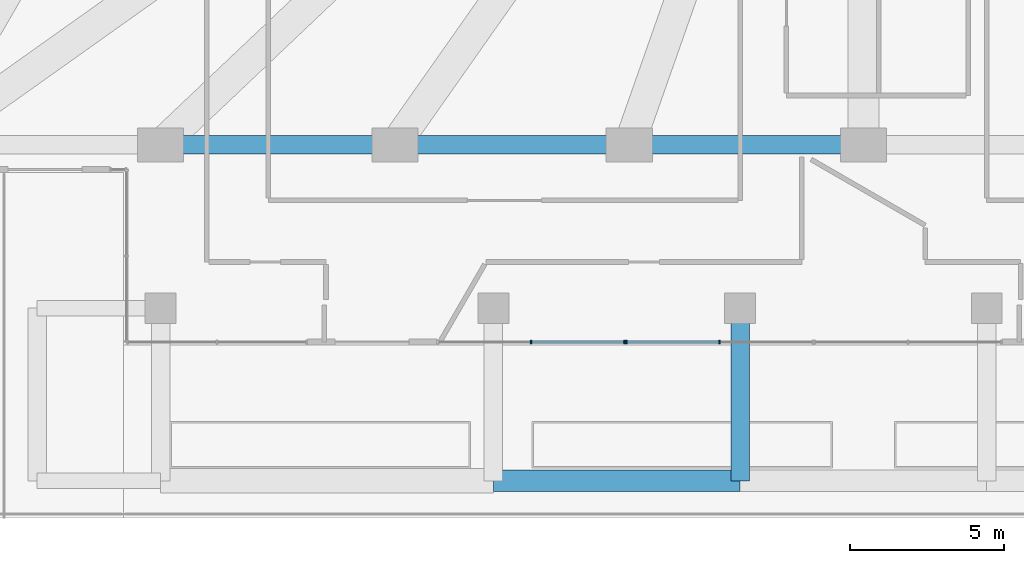
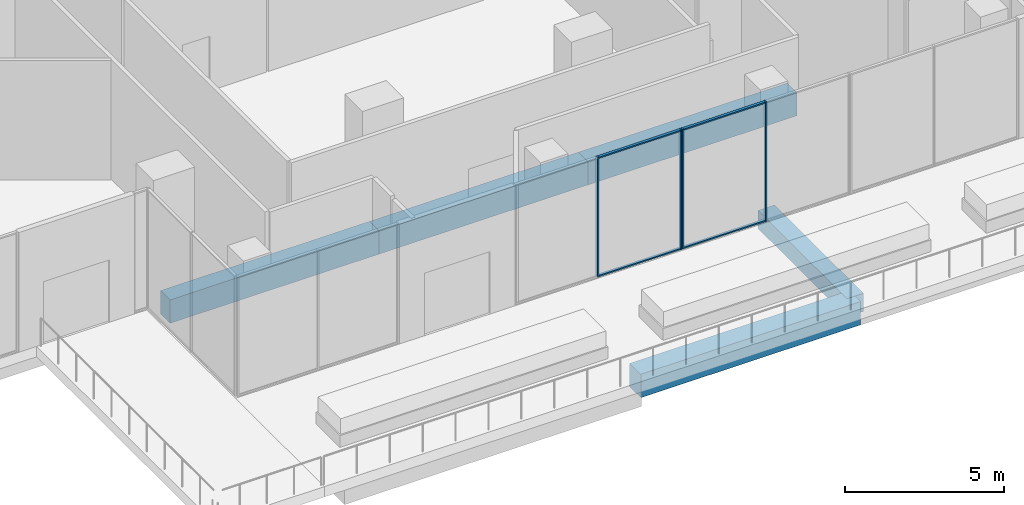
# One storey, part 3 of 32: 8 members, 5 beams, 2 elements without a shape of their own.
"""IFC4 building model written with IfcOpenShell, lengths in metres."""

from ifc_helpers import new_model, si_unit, direction, frame, origin, origin_2d, place, context, subcontext, project, spatial, rectangle, extrude, material, layer, layer_set, material_profile, profile_set, type_object, element, aggregate, save


model = new_model("IFC4")

# Units and contexts
model_context = context("Model", 3, precision=1e-05, world=origin(), true_north=direction((0.0, 1.0)))
body_context = subcontext(model_context, "Body", "Model", "MODEL_VIEW")
ifc_project = project(units=[si_unit("LENGTHUNIT", "METRE"), si_unit("AREAUNIT", "SQUARE_METRE"), si_unit("VOLUMEUNIT", "CUBIC_METRE"), si_unit("PLANEANGLEUNIT", "RADIAN"), si_unit("MASSUNIT", "GRAM", prefix="KILO")], contexts=[model_context])

# Site, building, storey
site_placement = place(None, origin())
site = spatial("IfcSite", under=ifc_project, at=site_placement, CompositionType="ELEMENT")
building_placement = place(site_placement, origin())
building = spatial("IfcBuilding", under=site, at=building_placement, Name="Triada Interchange Tower", CompositionType="ELEMENT")
storey_placement = place(building_placement, frame((0.0, 0.0, 25.300048828125)))
storey = spatial("IfcBuildingStorey", under=building, at=storey_placement, Name="L04", CompositionType="ELEMENT", Elevation=25.300048828125)

# Curtain wall, members
ifc_material_1 = material(Name="Aluminium framed glazing", Category="aluminium")
ifc_layer = layer(ifc_material_1, 0.199951171875)
ifc_layer_set = layer_set([ifc_layer], Name="Curtain wall Winter garden glazing")
curtain_wall_type = type_object("IfcCurtainWallType", Name="Curtain wall Winter garden glazing", PredefinedType="NOTDEFINED", material=ifc_layer_set)
curtain_wall_1_placement = place(storey_placement, origin())
curtain_wall_1 = element("IfcCurtainWall", 1, at=curtain_wall_1_placement, inside=storey, type_object=curtain_wall_type, Name="Winter garden glazing CW002 L04", PredefinedType="NOTDEFINED")
ifc_material_2 = material(Name="Aluminium", Category="aluminium")
ifc_material_profile_1 = material_profile(ifc_material_2, rectangle(XDim=0.1201171875, YDim=0.050048828125, at=origin_2d()), Name="Aluminium mullion")
ifc_profile_set_1 = profile_set([ifc_material_profile_1], Name="Aluminium")
member_type_1 = type_object("IfcMemberType", Name="Mullion Winter garden glazing 120x50", PredefinedType="MULLION", material=ifc_profile_set_1)
member_1_placement = place(storey_placement, frame((-10.780029296875, -28.0, 0.0), z_axis=(0.0, 0.0, 1.0), x_axis=(0.0, 1.0, 0.0)))
member_1 = element("IfcMember", 2, at=member_1_placement, type_object=member_type_1, Name="CW002 mullion 2", PredefinedType="MULLION", context=body_context, shape_type="SweptSolid", body=[
    extrude(rectangle(XDim=0.1201171875, YDim=0.050048828125, at=origin_2d()), origin(), (0.0, 0.0, 1.0), 4.599853515625),
])
member_2_placement = place(storey_placement, frame((-7.751953125, -28.0, 0.0), z_axis=(0.0, 0.0, 1.0), x_axis=(0.0, 1.0, 0.0)))
member_2 = element("IfcMember", 3, at=member_2_placement, type_object=member_type_1, Name="CW002 mullion 3", PredefinedType="MULLION", context=body_context, shape_type="SweptSolid", body=[
    extrude(rectangle(XDim=0.1201171875, YDim=0.050048828125, at=origin_2d()), origin(), (0.0, 0.0, 1.0), 4.599853515625),
])

curtain_wall_2_placement = place(storey_placement, origin())
curtain_wall_2 = element("IfcCurtainWall", 4, at=curtain_wall_2_placement, inside=storey, type_object=curtain_wall_type, Name="Winter garden glazing CW003 L04", PredefinedType="NOTDEFINED")
member_3_placement = place(storey_placement, frame((-7.69189453125, -28.0, 0.0), z_axis=(0.0, 0.0, 1.0), x_axis=(0.0, 1.0, 0.0)))
member_3 = element("IfcMember", 5, at=member_3_placement, type_object=member_type_1, Name="CW003 mullion 1", PredefinedType="MULLION", context=body_context, shape_type="SweptSolid", body=[
    extrude(rectangle(XDim=0.1201171875, YDim=0.050048828125, at=origin_2d()), origin(), (0.0, 0.0, 1.0), 4.599853515625),
])
member_4_placement = place(storey_placement, frame((-4.66650390625, -28.0, 0.0), z_axis=(0.0, 0.0, 1.0), x_axis=(0.0, 1.0, 0.0)))
member_4 = element("IfcMember", 6, at=member_4_placement, type_object=member_type_1, Name="CW003 mullion 2", PredefinedType="MULLION", context=body_context, shape_type="SweptSolid", body=[
    extrude(rectangle(XDim=0.1201171875, YDim=0.050048828125, at=origin_2d()), origin(), (0.0, 0.0, 1.0), 4.599853515625),
])

# Beams
ifc_material_3 = material(Name="Concrete C50/60", Category="concrete")
ifc_material_profile_2 = material_profile(ifc_material_3, rectangle(XDim=0.60009765625, YDim=0.89990234375, at=origin_2d()), Name="RC 600x900")
ifc_profile_set_2 = profile_set([ifc_material_profile_2], Name="Concrete C50/60")
beam_type_1 = type_object("IfcBeamType", Name="Spandrel beam P RC 600x900", PredefinedType="BEAM", material=ifc_profile_set_2)
beam_1_placement = place(storey_placement, frame((-22.798095703125, -21.60009765625, -0.85009765625), z_axis=(1.0, 0.0, 0.0), x_axis=(0.0, 1.0, 0.0)))
element("IfcBeam", 7, at=beam_1_placement, inside=storey, type_object=beam_type_1, Name="Spandrel beam EP12 L04", PredefinedType="BEAM", context=body_context, shape_type="SweptSolid", body=[
    extrude(rectangle(XDim=0.60009765625, YDim=0.89990234375, at=origin_2d()), origin(), (0.0, 0.0, 1.0), 7.60009765625),
])
beam_2_placement = place(storey_placement, frame((-15.197998046875, -21.60009765625, -0.85009765625), z_axis=(1.0, 0.0, 0.0), x_axis=(0.0, 1.0, 0.0)))
element("IfcBeam", 8, at=beam_2_placement, inside=storey, type_object=beam_type_1, Name="Spandrel beam EP13 L04", PredefinedType="BEAM", context=body_context, shape_type="SweptSolid", body=[
    extrude(rectangle(XDim=0.60009765625, YDim=0.89990234375, at=origin_2d()), origin(), (0.0, 0.0, 1.0), 7.598876953125),
])
beam_3_placement = place(storey_placement, frame((-7.59912109375, -21.60009765625, -0.85009765625), z_axis=(1.0, 0.0, 0.0), x_axis=(0.0, 1.0, 0.0)))
element("IfcBeam", 9, at=beam_3_placement, inside=storey, type_object=beam_type_1, Name="Spandrel beam EP14 L04", PredefinedType="BEAM", context=body_context, shape_type="SweptSolid", body=[
    extrude(rectangle(XDim=0.60009765625, YDim=0.89990234375, at=origin_2d()), origin(), (0.0, 0.0, 1.0), 7.59912109375),
])
ifc_material_4 = material(Name="Concrete C40/50", Category="concrete")
ifc_material_profile_3 = material_profile(ifc_material_4, rectangle(XDim=0.60009765625, YDim=0.699951171875, at=origin_2d()), Name="RC 600x700")
ifc_profile_set_3 = profile_set([ifc_material_profile_3], Name="Concrete C40/50")
beam_type_2 = type_object("IfcBeamType", Name="Terrace beam RC 600x700", PredefinedType="BEAM", material=ifc_profile_set_3)
beam_4_placement = place(storey_placement, frame((-4.0, -32.5, -0.75), z_axis=(0.0, 1.0, 0.0), x_axis=(-1.0, 0.0, 0.0)))
element("IfcBeam", 10, at=beam_4_placement, inside=storey, type_object=beam_type_2, Name="Terrace beam TE09 L04", PredefinedType="BEAM", context=body_context, shape_type="SweptSolid", body=[
    extrude(rectangle(XDim=0.60009765625, YDim=0.699951171875, at=origin_2d()), origin(), (0.0, 0.0, 1.0), 5.60009765625),
])
ifc_material_profile_4 = material_profile(ifc_material_4, rectangle(XDim=0.699951171875, YDim=0.89990234375, at=origin_2d()), Name="RC 700x900")
ifc_profile_set_4 = profile_set([ifc_material_profile_4], Name="Concrete C40/50")
beam_type_3 = type_object("IfcBeamType", Name="Terrace beam RC 700x900", PredefinedType="BEAM", material=ifc_profile_set_4)
beam_5_placement = place(storey_placement, frame((-12.0, -32.5, -0.85009765625), z_axis=(1.0, 0.0, 0.0), x_axis=(0.0, 1.0, 0.0)))
element("IfcBeam", 11, at=beam_5_placement, inside=storey, type_object=beam_type_3, Name="Terrace beam TE14 L04", PredefinedType="BEAM", context=body_context, shape_type="SweptSolid", body=[
    extrude(rectangle(XDim=0.699951171875, YDim=0.89990234375, at=origin_2d()), origin(), (0.0, 0.0, 1.0), 8.0),
])

# Member
ifc_material_profile_5 = material_profile(ifc_material_2, rectangle(XDim=0.10009765625, YDim=0.050048828125, at=origin_2d()), Name="Aluminium transom")
ifc_profile_set_5 = profile_set([ifc_material_profile_5], Name="Aluminium")
member_type_2 = type_object("IfcMemberType", Name="Transom Winter garden glazing 100x50", PredefinedType="USERDEFINED", material=ifc_profile_set_5)
member_5_placement = place(storey_placement, frame((-10.7548828125, -28.0, 0.02490234375), z_axis=(1.0, 0.0, 0.0), x_axis=(0.0, 1.0, 0.0)))
member_5 = element("IfcMember", 12, at=member_5_placement, type_object=member_type_2, Name="CW002 transom 2.1", ObjectType="TRANSOM", PredefinedType="USERDEFINED", context=body_context, shape_type="SweptSolid", body=[
    extrude(rectangle(XDim=0.10009765625, YDim=0.050048828125, at=origin_2d()), origin(), (0.0, 0.0, 1.0), 2.977783203125),
])

member_6_placement = place(storey_placement, frame((-10.7548828125, -28.0, 4.574951171875), z_axis=(1.0, 0.0, 0.0), x_axis=(0.0, 1.0, 0.0)))
member_6 = element("IfcMember", 13, at=member_6_placement, type_object=member_type_2, Name="CW002 transom 2.2", ObjectType="TRANSOM", PredefinedType="USERDEFINED", context=body_context, shape_type="SweptSolid", body=[
    extrude(rectangle(XDim=0.10009765625, YDim=0.050048828125, at=origin_2d()), origin(), (0.0, 0.0, 1.0), 2.977783203125),
])

aggregate(curtain_wall_1, [member_1, member_2, member_5, member_6])

member_7_placement = place(storey_placement, frame((-7.6669921875, -28.0, 0.02490234375), z_axis=(1.0, 0.0, 0.0), x_axis=(0.0, 1.0, 0.0)))
member_7 = element("IfcMember", 14, at=member_7_placement, type_object=member_type_2, Name="CW003 transom 1.1", ObjectType="TRANSOM", PredefinedType="USERDEFINED", context=body_context, shape_type="SweptSolid", body=[
    extrude(rectangle(XDim=0.10009765625, YDim=0.050048828125, at=origin_2d()), origin(), (0.0, 0.0, 1.0), 2.9755859375),
])

member_8_placement = place(storey_placement, frame((-7.6669921875, -28.0, 4.574951171875), z_axis=(1.0, 0.0, 0.0), x_axis=(0.0, 1.0, 0.0)))
member_8 = element("IfcMember", 15, at=member_8_placement, type_object=member_type_2, Name="CW003 transom 1.2", ObjectType="TRANSOM", PredefinedType="USERDEFINED", context=body_context, shape_type="SweptSolid", body=[
    extrude(rectangle(XDim=0.10009765625, YDim=0.050048828125, at=origin_2d()), origin(), (0.0, 0.0, 1.0), 2.9755859375),
])

aggregate(curtain_wall_2, [member_3, member_4, member_7, member_8])

save(model, "model.ifc")
